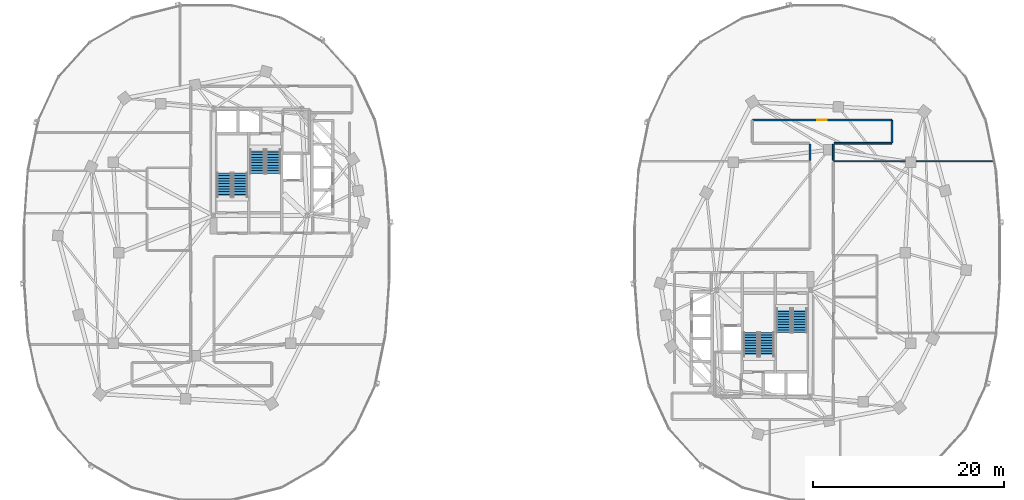
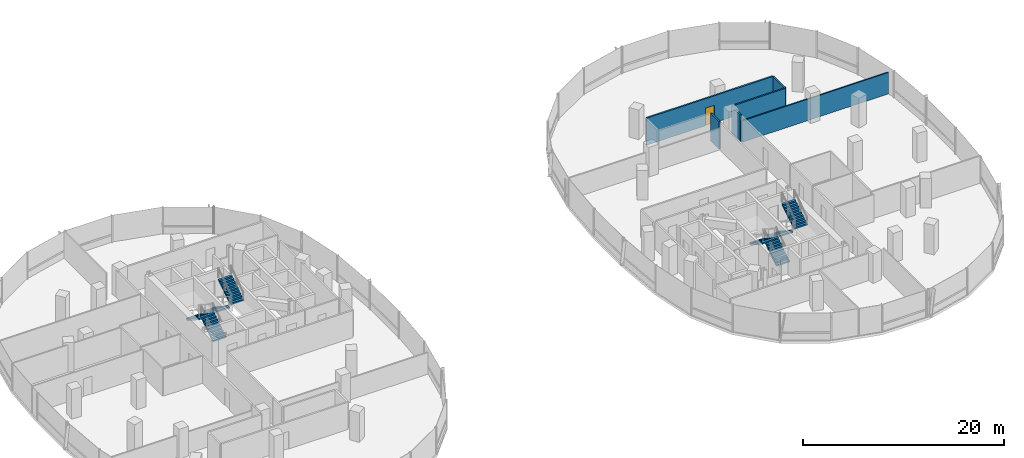
# One storey, part 14 of 21: 8 stair flights, 6 walls, 1 door, 1 opening, 4 elements without a shape of their own.
"""IFC4 building model written with IfcOpenShell, lengths in metres."""

import ifcopenshell
import ifcopenshell.guid

model = None  # the IFC model being written
_history = None  # IfcOwnerHistory: only IFC2X3 demands one
_inside = {}  # id of a spatial element -> (the spatial element, [elements in it])
_under = {}  # id of a project, library or spatial element -> (it, [spatial elements below it])
_declared = {}  # id of a project -> (the project, [libraries it declares])
_typed = {}  # id of a type object -> (the type object, [elements of that type])
_made_of = {}  # id of a material, layer set ... -> (it, [elements and type objects made of it])


def new_model(schema):
    """Start an empty IFC model of exactly this schema.

    Asked for "IFC4X3", IfcOpenShell would pick the latest addendum, in which some entities
    have other attributes; the version numbers below select the first issue.
    IFC2X3 requires an IfcOwnerHistory on every rooted entity: one is made here for all.
    """
    global model, _history
    if schema == "IFC4X3":
        model = ifcopenshell.file(schema_version=(4, 3, 0, 0))
    else:
        model = ifcopenshell.file(schema=schema)
    _inside.clear()
    _under.clear()
    _declared.clear()
    _typed.clear()
    _made_of.clear()
    _history = None
    if model.schema == "IFC2X3":
        org = make("IfcOrganization", Name="unknown")
        user = make(
            "IfcPersonAndOrganization",
            ThePerson=make("IfcPerson", FamilyName="unknown"),
            TheOrganization=org,
        )
        app = make(
            "IfcApplication",
            ApplicationDeveloper=org,
            Version="unknown",
            ApplicationFullName="unknown",
            ApplicationIdentifier="unknown",
        )
        _history = make(
            "IfcOwnerHistory",
            OwningUser=user,
            OwningApplication=app,
            ChangeAction="ADDED",
            CreationDate=0,
        )
    return model


def make(cls, **values):
    """One entity of the class cls with the attributes given. An attribute that is None is left unset."""
    return model.create_entity(
        cls, **{name: value for name, value in values.items() if value is not None}
    )


def rooted(cls, **values):
    """An entity with a GlobalId (a new one), such as an element, a storey or a relation."""
    return make(cls, GlobalId=ifcopenshell.guid.new(), OwnerHistory=_history, **values)


def si_unit(unit_type, name, prefix=None):
    """IfcSIUnit, for example si_unit("LENGTHUNIT", "METRE", prefix="MILLI")."""
    return make("IfcSIUnit", UnitType=unit_type, Prefix=prefix, Name=name)


def assignment(units):
    """IfcUnitAssignment: the units of a project."""
    return None if units is None else make("IfcUnitAssignment", Units=units)


def point(xyz):
    """IfcCartesianPoint."""
    return None if xyz is None else make("IfcCartesianPoint", Coordinates=xyz)


def direction(xyz):
    """IfcDirection."""
    return None if xyz is None else make("IfcDirection", DirectionRatios=xyz)


def frame(location, z_axis=None, x_axis=None):
    """IfcAxis2Placement3D, a coordinate frame: its origin and axes. An axis left out is left unset."""
    return make(
        "IfcAxis2Placement3D",
        Location=point(location),
        Axis=direction(z_axis),
        RefDirection=direction(x_axis),
    )


def frame_2d(location, x_axis=None):
    """IfcAxis2Placement2D, a coordinate frame in the plane: its origin and x axis."""
    return make(
        "IfcAxis2Placement2D", Location=point(location), RefDirection=direction(x_axis)
    )


def origin():
    """The frame at (0, 0, 0) with its axes left unset."""
    return frame((0.0, 0.0, 0.0))


def place(relative_to, where):
    """IfcLocalPlacement: puts the frame where relative to a parent placement (None: the world)."""
    return make(
        "IfcLocalPlacement", PlacementRelTo=relative_to, RelativePlacement=where
    )


def context(
    kind, dimensions, precision=None, world=None, true_north=None, identifier=None
):
    """IfcGeometricRepresentationContext, for example the 3D "Model" context."""
    return make(
        "IfcGeometricRepresentationContext",
        ContextIdentifier=identifier,
        ContextType=kind,
        CoordinateSpaceDimension=dimensions,
        Precision=precision,
        WorldCoordinateSystem=world,
        TrueNorth=true_north,
    )


def subcontext(parent, identifier, kind, view, scale=None):
    """IfcGeometricRepresentationSubContext, for example "Body" below "Model"."""
    return make(
        "IfcGeometricRepresentationSubContext",
        ContextIdentifier=identifier,
        ContextType=kind,
        ParentContext=parent,
        TargetScale=scale,
        TargetView=view,
    )


def project(units=None, contexts=None):
    """IfcProject with its units and contexts."""
    return rooted(
        "IfcProject",
        Name="project",
        RepresentationContexts=contexts,
        UnitsInContext=assignment(units),
    )


def spatial(cls, under=None, at=None, **own):
    """A site, building, storey or space (cls), placed at a placement, below another one or the project."""
    s = rooted(cls, ObjectPlacement=at, **own)
    if under is not None:
        _under.setdefault(under.id(), (under, []))[1].append(s)
    return s


def polyline(points):
    """IfcPolyline through the points."""
    return make("IfcPolyline", Points=[point(p) for p in points])


def profile(cls, at=None, kind="AREA", **sizes):
    """A parametric profile (cls). Its sizes go by their IFC names, for example OverallWidth=200.0."""
    return make(cls, ProfileType=kind, Position=at, **sizes)


def rectangle(**sizes):
    """IfcRectangleProfileDef."""
    return profile("IfcRectangleProfileDef", **sizes)


def outline(outer, holes=None, kind="AREA"):
    """IfcArbitraryClosedProfileDef: a profile drawn as a closed curve; with holes, ...WithVoids."""
    if holes is None:
        return make("IfcArbitraryClosedProfileDef", ProfileType=kind, OuterCurve=outer)
    return make(
        "IfcArbitraryProfileDefWithVoids",
        ProfileType=kind,
        OuterCurve=outer,
        InnerCurves=holes,
    )


def extrude(swept, where, along, depth):
    """IfcExtrudedAreaSolid: the profile swept, set in the frame where, extruded along a direction by depth."""
    return make(
        "IfcExtrudedAreaSolid",
        SweptArea=swept,
        Position=where,
        ExtrudedDirection=direction(along),
        Depth=depth,
    )


def shape(context_of_items, identifier, shape_type, items):
    """IfcShapeRepresentation: the items that make up one representation, for example the "Body"."""
    return make(
        "IfcShapeRepresentation",
        ContextOfItems=context_of_items,
        RepresentationIdentifier=identifier,
        RepresentationType=shape_type,
        Items=items,
    )


def material(Name=None, Category=None):
    """IfcMaterial."""
    return make("IfcMaterial", Name=Name, Category=Category)


def layer(
    of_material, thickness, ventilated=None, Name=None, Category=None, Priority=None
):
    """IfcMaterialLayer: one layer of a wall or slab, of a material (None: an air gap)."""
    return make(
        "IfcMaterialLayer",
        Material=of_material,
        LayerThickness=thickness,
        IsVentilated=ventilated,
        Name=Name,
        Category=Category,
        Priority=Priority,
    )


def layer_set(layers, Name=None):
    """IfcMaterialLayerSet."""
    return make("IfcMaterialLayerSet", MaterialLayers=layers, LayerSetName=Name)


def made_of(thing, what):
    """Note that an element or type object is made of a material, layer set ...; save() writes the relation."""
    if what is not None:
        _made_of.setdefault(what.id(), (what, []))[1].append(thing)
    return thing


def type_object(cls, material=None, **own):
    """A type object (cls), such as IfcWallType, which elements share."""
    return made_of(rooted(cls, **own), material)


def element(
    cls,
    number,
    at=None,
    inside=None,
    cuts=None,
    type_object=None,
    material=None,
    context=None,
    identifier="Body",
    shape_type=None,
    held_by="IfcProductDefinitionShape",
    body=None,
    shapes=None,
    **own,
):
    """One element of the class cls, such as IfcWall. Its Tag is "e" and its number.

    at: its placement. inside: the storey or other place that contains it. cuts: it is an
    opening in that element (IfcRelVoidsElement). A single representation is given by context,
    identifier, shape_type and body (its items); several are given by shapes. held_by: the class
    of the entity that holds the representations. save() writes the other relations.
    """
    e = rooted(cls, Tag="e%d" % number, ObjectPlacement=at, **own)
    if body is not None:
        shapes = [shape(context, identifier, shape_type, body)]
    if shapes is not None:
        e.Representation = make(held_by, Representations=shapes)
    if inside is not None:
        _inside.setdefault(inside.id(), (inside, []))[1].append(e)
    if cuts is not None:
        rooted(
            "IfcRelVoidsElement", RelatingBuildingElement=cuts, RelatedOpeningElement=e
        )
    if type_object is not None:
        _typed.setdefault(type_object.id(), (type_object, []))[1].append(e)
    return made_of(e, material)


def fill(opening, filler):
    """IfcRelFillsElement: the door or window that sits in an opening."""
    return rooted(
        "IfcRelFillsElement",
        RelatingOpeningElement=opening,
        RelatedBuildingElement=filler,
    )


def aggregate(whole, parts):
    """IfcRelAggregates: a whole, such as a stair, and the parts it consists of."""
    return rooted("IfcRelAggregates", RelatingObject=whole, RelatedObjects=parts)


def save(model, path):
    """Write the relations noted so far, then the file.

    IfcRelAggregates (storeys below a building ...), IfcRelContainedInSpatialStructure (elements
    in a storey), IfcRelDefinesByType, IfcRelAssociatesMaterial and IfcRelDeclares: one each for
    every whole, place, type object, material and project.
    """
    for whole, parts in _under.values():
        aggregate(whole, parts)
    for where, things in _inside.values():
        rooted(
            "IfcRelContainedInSpatialStructure",
            RelatedElements=things,
            RelatingStructure=where,
        )
    for kind, things in _typed.values():
        rooted("IfcRelDefinesByType", RelatedObjects=things, RelatingType=kind)
    for what, things in _made_of.values():
        rooted("IfcRelAssociatesMaterial", RelatedObjects=things, RelatingMaterial=what)
    for by, libraries in _declared.values():
        rooted("IfcRelDeclares", RelatingContext=by, RelatedDefinitions=libraries)
    model.write(path)


model = new_model("IFC4")

# Units and contexts
model_context = context("Model", 3, precision=1e-05, world=origin(), true_north=direction((0.0, 1.0)))
body_context = subcontext(model_context, "Body", "Model", "MODEL_VIEW")
ifc_project = project(units=[si_unit("LENGTHUNIT", "METRE"), si_unit("AREAUNIT", "SQUARE_METRE"), si_unit("VOLUMEUNIT", "CUBIC_METRE"), si_unit("PLANEANGLEUNIT", "RADIAN"), si_unit("MASSUNIT", "GRAM", prefix="KILO"), si_unit("THERMODYNAMICTEMPERATUREUNIT", "KELVIN"), si_unit("POWERUNIT", "WATT")], contexts=[model_context])

# Site, building, storey
site_placement = place(None, origin())
site = spatial("IfcSite", under=ifc_project, at=site_placement, CompositionType="ELEMENT")
building_placement = place(site_placement, origin())
building = spatial("IfcBuilding", under=site, at=building_placement, Name="Cundina Bronze Exchange", CompositionType="ELEMENT")
storey_placement = place(building_placement, frame((0.0, 0.0, 110.60009765625)))
storey = spatial("IfcBuildingStorey", under=building, at=storey_placement, Name="L28", CompositionType="ELEMENT", Elevation=110.60009765625)

# Wall, opening, door
ifc_material_1 = material(Name="Gypsum Fireboard Partition EI120")
ifc_layer_1 = layer(ifc_material_1, 0.179931640625, Name="Gypsum Fireboard Partition EI120")
ifc_layer_set_1 = layer_set([ifc_layer_1], Name="Gypsum Fireboard Partition EI120")
wall_type_1 = type_object("IfcWallType", Name="WL-COR-180", PredefinedType="PARTITIONING", material=ifc_layer_set_1)
wall_1_placement = place(storey_placement, frame((39.778564453125, 13.919921875, 0.0), z_axis=(0.0, 0.0, 1.0), x_axis=(-1.0, 0.0, 0.0)))
wall_1 = element("IfcWall", 1, at=wall_1_placement, inside=storey, type_object=wall_type_1, Name="L28 Interior Partition 065", PredefinedType="PARTITIONING", context=body_context, shape_type="SweptSolid", body=[
    extrude(rectangle(XDim=14.55712890625, YDim=0.179931640625, at=frame_2d((7.278564453125, 0.0))), origin(), (0.0, 0.0, 1.0), 3.2998046875),
])
opening_placement = place(wall_1_placement, frame((6.778564453125, 0.0, 0.0)))
opening = element("IfcOpeningElement", 2, at=opening_placement, cuts=wall_1, Name="Opening DO-01", PredefinedType="OPENING", context=body_context, shape_type="SweptSolid", body=[
    extrude(rectangle(XDim=1.0, YDim=2.14990234375, at=frame_2d((0.5, 1.074951171875))), frame((0.0, 0.099853515625, 0.0), z_axis=(0.0, -1.0, 0.0), x_axis=(1.0, 0.0, 0.0)), (0.0, 0.0, 1.0), 0.199951171875),
])
ifc_material_2 = material(Name="Solid Andean Oak Timber Grade A", Category="wood")
door_type = type_object("IfcDoorType", Name="DR-OFF-1000", OperationType="NOTDEFINED", PredefinedType="DOOR", material=ifc_material_2)
door_placement = place(opening_placement, origin())
door = element("IfcDoor", 3, at=door_placement, inside=storey, type_object=door_type, Name="L28 Interior Door 065", OperationType="SINGLE_SWING_LEFT", OverallHeight=2.14990234375, OverallWidth=1.0, PredefinedType="DOOR", context=body_context, shape_type="SweptSolid", body=[
    extrude(rectangle(XDim=1.0, YDim=2.14990234375, at=frame_2d((0.5, 1.074951171875))), frame((0.0, 0.02490234375, 0.0), z_axis=(0.0, -1.0, 0.0), x_axis=(1.0, 0.0, 0.0)), (0.0, 0.0, 1.0), 0.050048828125),
])
fill(opening, door)

# Walls
wall_2_placement = place(storey_placement, frame((33.75, 11.47998046875, 0.0), z_axis=(0.0, 0.0, 1.0), x_axis=(1.0, 0.0, 0.0)))
element("IfcWall", 4, at=wall_2_placement, inside=storey, type_object=wall_type_1, Name="L28 Interior Partition 066", PredefinedType="PARTITIONING", context=body_context, shape_type="SweptSolid", body=[
    extrude(rectangle(XDim=6.028564453125, YDim=0.179931640625, at=frame_2d((3.01416015625, 0.0))), origin(), (0.0, 0.0, 1.0), 3.2998046875),
])
wall_3_placement = place(storey_placement, frame((39.820068359375, 11.521484375, 0.0), z_axis=(0.0, 0.0, 1.0), x_axis=(0.0, 1.0, 0.0)))
element("IfcWall", 5, at=wall_3_placement, inside=storey, type_object=wall_type_1, Name="L28 Interior Partition 068", PredefinedType="PARTITIONING", context=body_context, shape_type="SweptSolid", body=[
    extrude(rectangle(XDim=2.35693359375, YDim=0.179931640625, at=frame_2d((1.178466796875, 0.0))), origin(), (0.0, 0.0, 1.0), 3.2998046875),
])
for number, where, z_axis, x_axis, name in (
    (6, (33.669921875, 9.68994140625, 0.0), (0.0, 0.0, 1.0), (0.0, 1.0, 0.0), "L28 Interior Partition 070"),
    (7, (31.22998046875, 11.39990234375, 0.0), (0.0, 0.0, 1.0), (0.0, -1.0, 0.0), "L28 Interior Partition 071"),
):
    element("IfcWall", number, at=place(storey_placement, frame(where, z_axis=z_axis, x_axis=x_axis)), inside=storey, type_object=wall_type_1, Name=name, PredefinedType="PARTITIONING", context=body_context, shape_type="SweptSolid", body=[
        extrude(rectangle(XDim=1.7099609375, YDim=0.179931640625, at=frame_2d((0.85498046875, 0.0))), origin(), (0.0, 0.0, 1.0), 3.2998046875),
    ])
ifc_material_3 = material(Name="Gypsum Acoustic Partition EI60")
ifc_layer_2 = layer(ifc_material_3, 0.14990234375, Name="Gypsum Acoustic Partition EI60")
ifc_layer_set_2 = layer_set([ifc_layer_2], Name="Gypsum Acoustic Partition EI60")
wall_type_2 = type_object("IfcWallType", Name="WL-TEN-150", PredefinedType="PARTITIONING", material=ifc_layer_set_2)
wall_4_placement = place(storey_placement, frame((33.699951171875, 9.60009765625, 0.0), z_axis=(0.0, 0.0, 1.0), x_axis=(1.0, 0.0, 0.0)))
element("IfcWall", 8, at=wall_4_placement, inside=storey, type_object=wall_type_2, Name="L28 Interior Partition 052", PredefinedType="PARTITIONING", context=body_context, shape_type="SweptSolid", body=[
    extrude(rectangle(XDim=16.90966796875, YDim=0.14990234375, at=frame_2d((8.454833984375, 0.0))), origin(), (0.0, 0.0, 1.0), 2.60498046875),
])

# Stair, stair flights
ifc_material_4 = material(Name="Concrete C40/50", Category="concrete")
stair_type = type_object("IfcStairType", Name="STR-OFF-360", PredefinedType="HALF_TURN_STAIR", material=ifc_material_4)
stair_1_placement = place(storey_placement, origin())
stair_1 = element("IfcStair", 9, at=stair_1_placement, inside=storey, type_object=stair_type, Name="L28 Smokeproof Exit Stair W1", PredefinedType="HALF_TURN_STAIR")
stair_flight_type = type_object("IfcStairFlightType", Name="FLG-OFF-180", PredefinedType="STRAIGHT", material=ifc_material_4)
stair_flight_1_placement = place(storey_placement, frame((-28.489990234375, 5.85009765625, 0.0), z_axis=(0.0, 0.0, 1.0), x_axis=(0.0, 1.0, 0.0)))
stair_flight_1 = element("IfcStairFlight", 10, at=stair_flight_1_placement, type_object=stair_flight_type, Name="ST-W1 flight 1", NumberOfRisers=10, NumberOfTreads=9, PredefinedType="STRAIGHT", RiserHeight=0.18, TreadLength=0.28, context=body_context, shape_type="SweptSolid", body=[
    extrude(outline(polyline([(0.0, 0.0), (0.0, 0.179931640625), (0.280029296875, 0.179931640625), (0.280029296875, 0.360107421875), (0.56005859375, 0.360107421875), (0.56005859375, 0.5400390625), (0.840087890625, 0.5400390625), (0.840087890625, 0.719970703125), (1.1201171875, 0.719970703125), (1.1201171875, 0.89990234375), (1.39990234375, 0.89990234375), (1.39990234375, 1.080078125), (1.679931640625, 1.080078125), (1.679931640625, 1.260009765625), (1.9599609375, 1.260009765625), (1.9599609375, 1.43994140625), (2.239990234375, 1.43994140625), (2.239990234375, 1.6201171875), (2.52001953125, 1.6201171875), (2.52001953125, 1.800048828125), (2.52001953125, 1.44189453125), (0.277099609375, 0.0), (0.0, 0.0)])), frame((0.0, 0.75, 0.0), z_axis=(0.0, -1.0, 0.0), x_axis=(1.0, 0.0, 0.0)), (0.0, 0.0, 1.0), 1.5),
])
stair_flight_2_placement = place(storey_placement, frame((-30.14990234375, 8.3701171875, 1.7998046875), z_axis=(0.0, 0.0, 1.0), x_axis=(0.0, -1.0, 0.0)))
stair_flight_2 = element("IfcStairFlight", 11, at=stair_flight_2_placement, type_object=stair_flight_type, Name="ST-W1 flight 2", NumberOfRisers=10, NumberOfTreads=9, PredefinedType="STRAIGHT", RiserHeight=0.18, TreadLength=0.28, context=body_context, shape_type="SweptSolid", body=[
    extrude(outline(polyline([(0.0, 0.0), (0.0, 0.179931640625), (0.280029296875, 0.179931640625), (0.280029296875, 0.360107421875), (0.56005859375, 0.360107421875), (0.56005859375, 0.5400390625), (0.840087890625, 0.5400390625), (0.840087890625, 0.719970703125), (1.1201171875, 0.719970703125), (1.1201171875, 0.89990234375), (1.39990234375, 0.89990234375), (1.39990234375, 1.080078125), (1.679931640625, 1.080078125), (1.679931640625, 1.260009765625), (1.9599609375, 1.260009765625), (1.9599609375, 1.43994140625), (2.239990234375, 1.43994140625), (2.239990234375, 1.6201171875), (2.52001953125, 1.6201171875), (2.52001953125, 1.800048828125), (2.52001953125, 1.44189453125), (0.277099609375, 0.0), (0.0, 0.0)])), frame((0.0, 0.75, 0.0), z_axis=(0.0, -1.0, 0.0), x_axis=(1.0, 0.0, 0.0)), (0.0, 0.0, 1.0), 1.5),
])
aggregate(stair_1, [stair_flight_1, stair_flight_2])

stair_2_placement = place(storey_placement, origin())
stair_2 = element("IfcStair", 12, at=stair_2_placement, inside=storey, type_object=stair_type, Name="L28 Smokeproof Exit Stair W2", PredefinedType="HALF_TURN_STAIR")
stair_flight_3_placement = place(storey_placement, frame((-26.68994140625, 10.85009765625, 0.0), z_axis=(0.0, 0.0, 1.0), x_axis=(0.0, -1.0, 0.0)))
stair_flight_3 = element("IfcStairFlight", 13, at=stair_flight_3_placement, type_object=stair_flight_type, Name="ST-W2 flight 1", NumberOfRisers=10, NumberOfTreads=9, PredefinedType="STRAIGHT", RiserHeight=0.18, TreadLength=0.28, context=body_context, shape_type="SweptSolid", body=[
    extrude(outline(polyline([(0.0, 0.0), (0.0, 0.179931640625), (0.280029296875, 0.179931640625), (0.280029296875, 0.360107421875), (0.56005859375, 0.360107421875), (0.56005859375, 0.5400390625), (0.840087890625, 0.5400390625), (0.840087890625, 0.719970703125), (1.1201171875, 0.719970703125), (1.1201171875, 0.89990234375), (1.39990234375, 0.89990234375), (1.39990234375, 1.080078125), (1.679931640625, 1.080078125), (1.679931640625, 1.260009765625), (1.9599609375, 1.260009765625), (1.9599609375, 1.43994140625), (2.239990234375, 1.43994140625), (2.239990234375, 1.6201171875), (2.52001953125, 1.6201171875), (2.52001953125, 1.800048828125), (2.52001953125, 1.44189453125), (0.277099609375, 0.0), (0.0, 0.0)])), frame((0.0, 0.75, 0.0), z_axis=(0.0, -1.0, 0.0), x_axis=(1.0, 0.0, 0.0)), (0.0, 0.0, 1.0), 1.5),
])
stair_flight_4_placement = place(storey_placement, frame((-25.030029296875, 8.330078125, 1.7998046875), z_axis=(0.0, 0.0, 1.0), x_axis=(0.0, 1.0, 0.0)))
stair_flight_4 = element("IfcStairFlight", 14, at=stair_flight_4_placement, type_object=stair_flight_type, Name="ST-W2 flight 2", NumberOfRisers=10, NumberOfTreads=9, PredefinedType="STRAIGHT", RiserHeight=0.18, TreadLength=0.28, context=body_context, shape_type="SweptSolid", body=[
    extrude(outline(polyline([(0.0, 0.0), (0.0, 0.179931640625), (0.280029296875, 0.179931640625), (0.280029296875, 0.360107421875), (0.56005859375, 0.360107421875), (0.56005859375, 0.5400390625), (0.840087890625, 0.5400390625), (0.840087890625, 0.719970703125), (1.1201171875, 0.719970703125), (1.1201171875, 0.89990234375), (1.39990234375, 0.89990234375), (1.39990234375, 1.080078125), (1.679931640625, 1.080078125), (1.679931640625, 1.260009765625), (1.9599609375, 1.260009765625), (1.9599609375, 1.43994140625), (2.239990234375, 1.43994140625), (2.239990234375, 1.6201171875), (2.52001953125, 1.6201171875), (2.52001953125, 1.800048828125), (2.52001953125, 1.44189453125), (0.277099609375, 0.0), (0.0, 0.0)])), frame((0.0, 0.75, 0.0), z_axis=(0.0, -1.0, 0.0), x_axis=(1.0, 0.0, 0.0)), (0.0, 0.0, 1.0), 1.5),
])
aggregate(stair_2, [stair_flight_3, stair_flight_4])

stair_3_placement = place(storey_placement, origin())
stair_3 = element("IfcStair", 15, at=stair_3_placement, inside=storey, type_object=stair_type, Name="L28 Smokeproof Exit Stair E1", PredefinedType="HALF_TURN_STAIR")
stair_flight_5_placement = place(storey_placement, frame((28.489990234375, -5.85009765625, 0.0), z_axis=(0.0, 0.0, 1.0), x_axis=(0.0, -1.0, 0.0)))
stair_flight_5 = element("IfcStairFlight", 16, at=stair_flight_5_placement, type_object=stair_flight_type, Name="ST-E1 flight 1", NumberOfRisers=10, NumberOfTreads=9, PredefinedType="STRAIGHT", RiserHeight=0.18, TreadLength=0.28, context=body_context, shape_type="SweptSolid", body=[
    extrude(outline(polyline([(0.0, 0.0), (0.0, 0.179931640625), (0.280029296875, 0.179931640625), (0.280029296875, 0.360107421875), (0.56005859375, 0.360107421875), (0.56005859375, 0.5400390625), (0.840087890625, 0.5400390625), (0.840087890625, 0.719970703125), (1.1201171875, 0.719970703125), (1.1201171875, 0.89990234375), (1.39990234375, 0.89990234375), (1.39990234375, 1.080078125), (1.679931640625, 1.080078125), (1.679931640625, 1.260009765625), (1.9599609375, 1.260009765625), (1.9599609375, 1.43994140625), (2.239990234375, 1.43994140625), (2.239990234375, 1.6201171875), (2.52001953125, 1.6201171875), (2.52001953125, 1.800048828125), (2.52001953125, 1.44189453125), (0.277099609375, 0.0), (0.0, 0.0)])), frame((0.0, 0.75, 0.0), z_axis=(0.0, -1.0, 0.0), x_axis=(1.0, 0.0, 0.0)), (0.0, 0.0, 1.0), 1.5),
])
stair_flight_6_placement = place(storey_placement, frame((30.14990234375, -8.3701171875, 1.7998046875), z_axis=(0.0, 0.0, 1.0), x_axis=(0.0, 1.0, 0.0)))
stair_flight_6 = element("IfcStairFlight", 17, at=stair_flight_6_placement, type_object=stair_flight_type, Name="ST-E1 flight 2", NumberOfRisers=10, NumberOfTreads=9, PredefinedType="STRAIGHT", RiserHeight=0.18, TreadLength=0.28, context=body_context, shape_type="SweptSolid", body=[
    extrude(outline(polyline([(0.0, 0.0), (0.0, 0.179931640625), (0.280029296875, 0.179931640625), (0.280029296875, 0.360107421875), (0.56005859375, 0.360107421875), (0.56005859375, 0.5400390625), (0.840087890625, 0.5400390625), (0.840087890625, 0.719970703125), (1.1201171875, 0.719970703125), (1.1201171875, 0.89990234375), (1.39990234375, 0.89990234375), (1.39990234375, 1.080078125), (1.679931640625, 1.080078125), (1.679931640625, 1.260009765625), (1.9599609375, 1.260009765625), (1.9599609375, 1.43994140625), (2.239990234375, 1.43994140625), (2.239990234375, 1.6201171875), (2.52001953125, 1.6201171875), (2.52001953125, 1.800048828125), (2.52001953125, 1.44189453125), (0.277099609375, 0.0), (0.0, 0.0)])), frame((0.0, 0.75, 0.0), z_axis=(0.0, -1.0, 0.0), x_axis=(1.0, 0.0, 0.0)), (0.0, 0.0, 1.0), 1.5),
])
aggregate(stair_3, [stair_flight_5, stair_flight_6])

stair_4_placement = place(storey_placement, origin())
stair_4 = element("IfcStair", 18, at=stair_4_placement, inside=storey, type_object=stair_type, Name="L28 Smokeproof Exit Stair E2", PredefinedType="HALF_TURN_STAIR")
stair_flight_7_placement = place(storey_placement, frame((26.68994140625, -10.85009765625, 0.0), z_axis=(0.0, 0.0, 1.0), x_axis=(0.0, 1.0, 0.0)))
stair_flight_7 = element("IfcStairFlight", 19, at=stair_flight_7_placement, type_object=stair_flight_type, Name="ST-E2 flight 1", NumberOfRisers=10, NumberOfTreads=9, PredefinedType="STRAIGHT", RiserHeight=0.18, TreadLength=0.28, context=body_context, shape_type="SweptSolid", body=[
    extrude(outline(polyline([(0.0, 0.0), (0.0, 0.179931640625), (0.280029296875, 0.179931640625), (0.280029296875, 0.360107421875), (0.56005859375, 0.360107421875), (0.56005859375, 0.5400390625), (0.840087890625, 0.5400390625), (0.840087890625, 0.719970703125), (1.1201171875, 0.719970703125), (1.1201171875, 0.89990234375), (1.39990234375, 0.89990234375), (1.39990234375, 1.080078125), (1.679931640625, 1.080078125), (1.679931640625, 1.260009765625), (1.9599609375, 1.260009765625), (1.9599609375, 1.43994140625), (2.239990234375, 1.43994140625), (2.239990234375, 1.6201171875), (2.52001953125, 1.6201171875), (2.52001953125, 1.800048828125), (2.52001953125, 1.44189453125), (0.277099609375, 0.0), (0.0, 0.0)])), frame((0.0, 0.75, 0.0), z_axis=(0.0, -1.0, 0.0), x_axis=(1.0, 0.0, 0.0)), (0.0, 0.0, 1.0), 1.5),
])
stair_flight_8_placement = place(storey_placement, frame((25.030029296875, -8.330078125, 1.7998046875), z_axis=(0.0, 0.0, 1.0), x_axis=(0.0, -1.0, 0.0)))
stair_flight_8 = element("IfcStairFlight", 20, at=stair_flight_8_placement, type_object=stair_flight_type, Name="ST-E2 flight 2", NumberOfRisers=10, NumberOfTreads=9, PredefinedType="STRAIGHT", RiserHeight=0.18, TreadLength=0.28, context=body_context, shape_type="SweptSolid", body=[
    extrude(outline(polyline([(0.0, 0.0), (0.0, 0.179931640625), (0.280029296875, 0.179931640625), (0.280029296875, 0.360107421875), (0.56005859375, 0.360107421875), (0.56005859375, 0.5400390625), (0.840087890625, 0.5400390625), (0.840087890625, 0.719970703125), (1.1201171875, 0.719970703125), (1.1201171875, 0.89990234375), (1.39990234375, 0.89990234375), (1.39990234375, 1.080078125), (1.679931640625, 1.080078125), (1.679931640625, 1.260009765625), (1.9599609375, 1.260009765625), (1.9599609375, 1.43994140625), (2.239990234375, 1.43994140625), (2.239990234375, 1.6201171875), (2.52001953125, 1.6201171875), (2.52001953125, 1.800048828125), (2.52001953125, 1.44189453125), (0.277099609375, 0.0), (0.0, 0.0)])), frame((0.0, 0.75, 0.0), z_axis=(0.0, -1.0, 0.0), x_axis=(1.0, 0.0, 0.0)), (0.0, 0.0, 1.0), 1.5),
])
aggregate(stair_4, [stair_flight_7, stair_flight_8])

save(model, "model.ifc")
